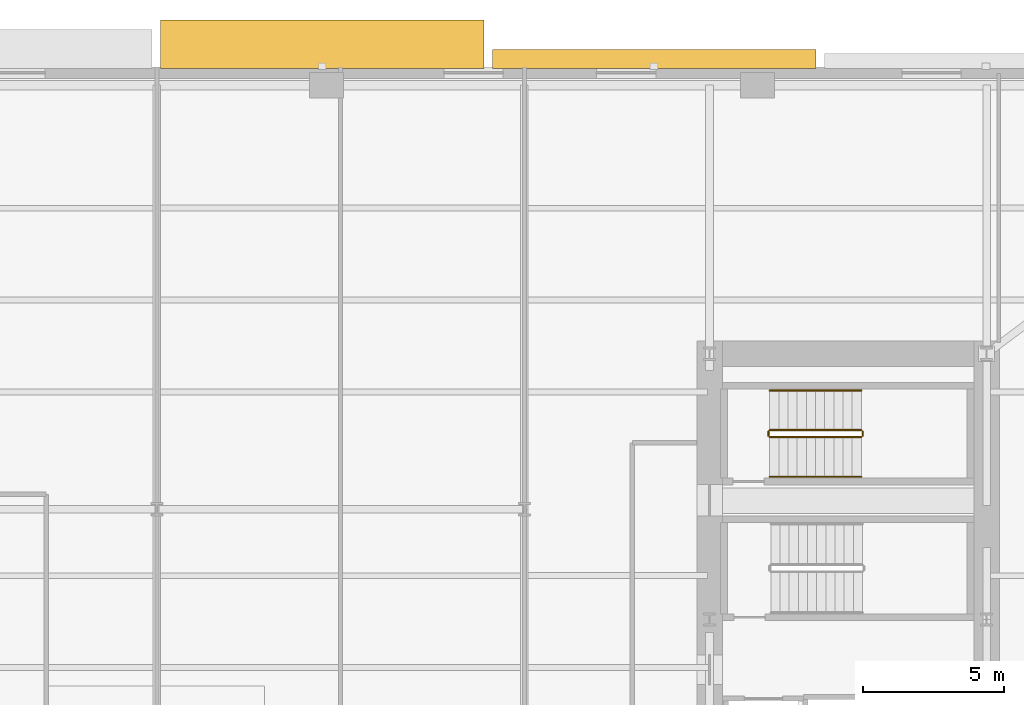
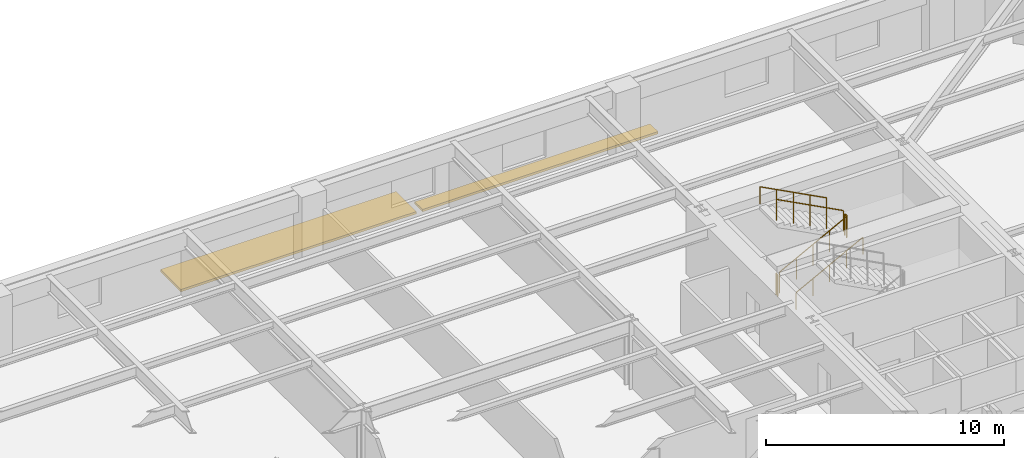
# One storey, part 14 of 15: 6 railings, 2 shading devices.
"""IFC4 building model written with IfcOpenShell, lengths in metres."""

from ifc_helpers import new_model, si_unit, direction, frame, origin, origin_2d, place, context, subcontext, project, spatial, rectangle, circle, extrude, material, type_object, element, save


model = new_model("IFC4")

# Units and contexts
model_context = context("Model", 3, precision=1e-05, world=origin(), true_north=direction((0.0, 1.0)))
body_context = subcontext(model_context, "Body", "Model", "MODEL_VIEW")
ifc_project = project(units=[si_unit("LENGTHUNIT", "METRE"), si_unit("AREAUNIT", "SQUARE_METRE"), si_unit("VOLUMEUNIT", "CUBIC_METRE"), si_unit("PLANEANGLEUNIT", "RADIAN"), si_unit("MASSUNIT", "GRAM", prefix="KILO")], contexts=[model_context])

# Site, building, storey
site_placement = place(None, origin())
site = spatial("IfcSite", under=ifc_project, at=site_placement, CompositionType="ELEMENT")
building_placement = place(site_placement, origin())
building = spatial("IfcBuilding", under=site, at=building_placement, Name="Kolvaren Arena Tower", CompositionType="ELEMENT")
storey_placement = place(building_placement, frame((0.0, 0.0, 83.25)))
storey = spatial("IfcBuildingStorey", under=building, at=storey_placement, Name="L18", CompositionType="ELEMENT", Elevation=83.25)

# Railings
ifc_material_1 = material(Name="Painted galvanized steel", Category="steel")
railing_type_1 = type_object("IfcRailingType", Name="GUARD-ST-110", PredefinedType="GUARDRAIL", material=ifc_material_1)
railing_1_placement = place(storey_placement, frame((52.679931640625, 36.39990234375, 0.17041015625)))
element("IfcRailing", 1, at=railing_1_placement, inside=storey, type_object=railing_type_1, Name="L18 ST-E2 stair guard 1", PredefinedType="GUARDRAIL", context=body_context, shape_type="SweptSolid", body=[
    extrude(circle(Radius=0.02392578125, at=origin_2d()), frame((0.0, 0.0, 1.076171875), z_axis=(0.884993431791, 0.0, 0.465603506952), x_axis=(0.0, 1.0, 0.0)), (0.0, 0.0, 1.0), 3.6611328125),
    extrude(circle(Radius=0.02099609375, at=origin_2d()), origin(), (0.0, 0.0, 1.0), 1.052001953125),
    extrude(circle(Radius=0.02099609375, at=origin_2d()), frame((0.81005859375, 0.0, 0.42626953125)), (0.0, 0.0, 1.0), 1.052001953125),
    extrude(circle(Radius=0.02099609375, at=origin_2d()), frame((1.6201171875, 0.0, 0.852294921875)), (0.0, 0.0, 1.0), 1.052001953125),
    extrude(circle(Radius=0.02099609375, at=origin_2d()), frame((2.429931640625, 0.0, 1.2783203125)), (0.0, 0.0, 1.0), 1.052001953125),
    extrude(circle(Radius=0.02099609375, at=origin_2d()), frame((3.239990234375, 0.0, 1.70458984375)), (0.0, 0.0, 1.0), 1.052001953125),
])
railing_2_placement = place(storey_placement, frame((55.969970703125, 36.449951171875, 1.875)))
element("IfcRailing", 2, at=railing_2_placement, inside=storey, type_object=railing_type_1, Name="L18 ST-E2 stair guard 2", PredefinedType="GUARDRAIL", context=body_context, shape_type="SweptSolid", body=[
    extrude(circle(Radius=0.02392578125, at=origin_2d()), frame((0.0, 0.0, 1.076171875), z_axis=(0.0, 1.0, 0.0), x_axis=(-1.0, 0.0, 0.0)), (0.0, 0.0, 1.0), 0.150146484375),
    extrude(circle(Radius=0.02099609375, at=origin_2d()), origin(), (0.0, 0.0, 1.0), 1.052001953125),
    extrude(circle(Radius=0.02099609375, at=origin_2d()), frame((0.0, 0.150146484375, 0.0)), (0.0, 0.0, 1.0), 1.052001953125),
])
railing_3_placement = place(storey_placement, frame((55.919921875, 36.64990234375, 2.04541015625)))
element("IfcRailing", 3, at=railing_3_placement, inside=storey, type_object=railing_type_1, Name="L18 ST-E2 stair guard 3", PredefinedType="GUARDRAIL", context=body_context, shape_type="SweptSolid", body=[
    extrude(circle(Radius=0.02392578125, at=origin_2d()), frame((0.0, 0.0, 1.076171875), z_axis=(-0.884993431791, 0.0, 0.465603506952), x_axis=(0.0, -1.0, 0.0)), (0.0, 0.0, 1.0), 3.6611328125),
    extrude(circle(Radius=0.02099609375, at=origin_2d()), origin(), (0.0, 0.0, 1.0), 1.052001953125),
    extrude(circle(Radius=0.02099609375, at=origin_2d()), frame((-0.81005859375, 0.0, 0.42626953125)), (0.0, 0.0, 1.0), 1.052001953125),
    extrude(circle(Radius=0.02099609375, at=origin_2d()), frame((-1.6201171875, 0.0, 0.852294921875)), (0.0, 0.0, 1.0), 1.052001953125),
    extrude(circle(Radius=0.02099609375, at=origin_2d()), frame((-2.429931640625, 0.0, 1.2783203125)), (0.0, 0.0, 1.0), 1.052001953125),
    extrude(circle(Radius=0.02099609375, at=origin_2d()), frame((-3.239990234375, 0.0, 1.70458984375)), (0.0, 0.0, 1.0), 1.052001953125),
])
railing_4_placement = place(storey_placement, frame((52.6298828125, 36.449951171875, 0.0)))
element("IfcRailing", 4, at=railing_4_placement, inside=storey, type_object=railing_type_1, Name="L18 ST-E2 stair guard 4", PredefinedType="GUARDRAIL", context=body_context, shape_type="SweptSolid", body=[
    extrude(circle(Radius=0.02392578125, at=origin_2d()), frame((0.0, 0.0, 1.076171875), z_axis=(0.0, 1.0, 0.0), x_axis=(-1.0, 0.0, 0.0)), (0.0, 0.0, 1.0), 0.150146484375),
    extrude(circle(Radius=0.02099609375, at=origin_2d()), origin(), (0.0, 0.0, 1.0), 1.052001953125),
    extrude(circle(Radius=0.02099609375, at=origin_2d()), frame((0.0, 0.150146484375, 0.0)), (0.0, 0.0, 1.0), 1.052001953125),
])
ifc_material_2 = material(Name="Brushed stainless steel handrail", Category="steel")
railing_type_2 = type_object("IfcRailingType", Name="HRAIL-900", PredefinedType="HANDRAIL", material=ifc_material_2)
railing_5_placement = place(storey_placement, frame((52.679931640625, 35.0, 0.17041015625)))
element("IfcRailing", 5, at=railing_5_placement, inside=storey, type_object=railing_type_2, Name="L18 ST-E2 stair handrail 1", PredefinedType="HANDRAIL", context=body_context, shape_type="SweptSolid", body=[
    extrude(circle(Radius=0.02392578125, at=origin_2d()), frame((0.0, 0.0, 0.8759765625), z_axis=(0.884993431791, 0.0, 0.465603506952), x_axis=(0.0, 1.0, 0.0)), (0.0, 0.0, 1.0), 3.6611328125),
    extrude(circle(Radius=0.02099609375, at=origin_2d()), origin(), (0.0, 0.0, 1.0), 0.851806640625),
    extrude(circle(Radius=0.02099609375, at=origin_2d()), frame((0.81005859375, 0.0, 0.42626953125)), (0.0, 0.0, 1.0), 0.851806640625),
    extrude(circle(Radius=0.02099609375, at=origin_2d()), frame((1.6201171875, 0.0, 0.852294921875)), (0.0, 0.0, 1.0), 0.851806640625),
    extrude(circle(Radius=0.02099609375, at=origin_2d()), frame((2.429931640625, 0.0, 1.2783203125)), (0.0, 0.0, 1.0), 0.851806640625),
    extrude(circle(Radius=0.02099609375, at=origin_2d()), frame((3.239990234375, 0.0, 1.70458984375)), (0.0, 0.0, 1.0), 0.851806640625),
])
railing_6_placement = place(storey_placement, frame((55.919921875, 38.050048828125, 2.04541015625)))
element("IfcRailing", 6, at=railing_6_placement, inside=storey, type_object=railing_type_2, Name="L18 ST-E2 stair handrail 2", PredefinedType="HANDRAIL", context=body_context, shape_type="SweptSolid", body=[
    extrude(circle(Radius=0.02392578125, at=origin_2d()), frame((0.0, 0.0, 0.8759765625), z_axis=(-0.884993431791, 0.0, 0.465603506952), x_axis=(0.0, -1.0, 0.0)), (0.0, 0.0, 1.0), 3.6611328125),
    extrude(circle(Radius=0.02099609375, at=origin_2d()), origin(), (0.0, 0.0, 1.0), 0.851806640625),
    extrude(circle(Radius=0.02099609375, at=origin_2d()), frame((-0.81005859375, 0.0, 0.42626953125)), (0.0, 0.0, 1.0), 0.851806640625),
    extrude(circle(Radius=0.02099609375, at=origin_2d()), frame((-1.6201171875, 0.0, 0.852294921875)), (0.0, 0.0, 1.0), 0.851806640625),
    extrude(circle(Radius=0.02099609375, at=origin_2d()), frame((-2.429931640625, 0.0, 1.2783203125)), (0.0, 0.0, 1.0), 0.851806640625),
    extrude(circle(Radius=0.02099609375, at=origin_2d()), frame((-3.239990234375, 0.0, 1.70458984375)), (0.0, 0.0, 1.0), 0.851806640625),
])

# Shading devices
ifc_material_3 = material(Name="Architectural precast GFRC and anodised aluminium sunshade", Category="concrete")
shading_device_type_1 = type_object("IfcShadingDeviceType", Name="SHAD-SINE-A", PredefinedType="USERDEFINED", material=ifc_material_3)
shading_device_1_placement = place(storey_placement, frame((48.590087890625, 49.779052734375, -0.14013671875), z_axis=(0.0, 0.0, 1.0), x_axis=(1.0, 0.0, 0.0)))
element("IfcShadingDevice", 7, at=shading_device_1_placement, inside=storey, type_object=shading_device_type_1, Name="Sinusoidal Slab-Edge Sunshade Louvre (L18)", ObjectType="LOUVRE", PredefinedType="USERDEFINED", context=body_context, shape_type="SweptSolid", body=[
    extrude(rectangle(XDim=11.43994140625, YDim=0.658203125, at=origin_2d()), origin(), (0.0, 0.0, 1.0), 0.1201171875),
])
shading_device_type_2 = type_object("IfcShadingDeviceType", Name="SHAD-SINE-B", PredefinedType="JALOUSIE", material=ifc_material_3)
shading_device_2_placement = place(storey_placement, frame((36.85009765625, 50.3037109375, -0.14013671875), z_axis=(0.0, 0.0, 1.0), x_axis=(1.0, 0.0, 0.0)))
element("IfcShadingDevice", 8, at=shading_device_2_placement, inside=storey, type_object=shading_device_type_2, Name="Sinusoidal Slab-Edge Sunshade Louvre (L18)", PredefinedType="JALOUSIE", context=body_context, shape_type="SweptSolid", body=[
    extrude(rectangle(XDim=11.43994140625, YDim=1.70751953125, at=origin_2d()), origin(), (0.0, 0.0, 1.0), 0.1201171875),
])

save(model, "model.ifc")
